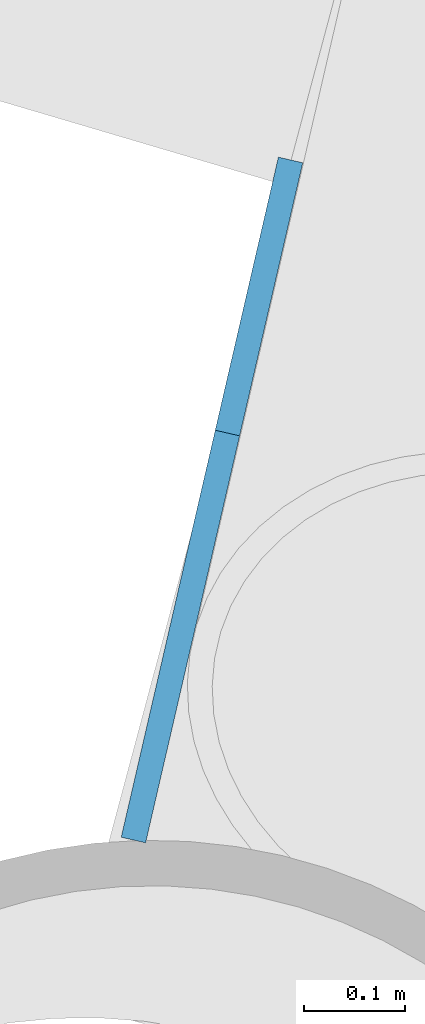
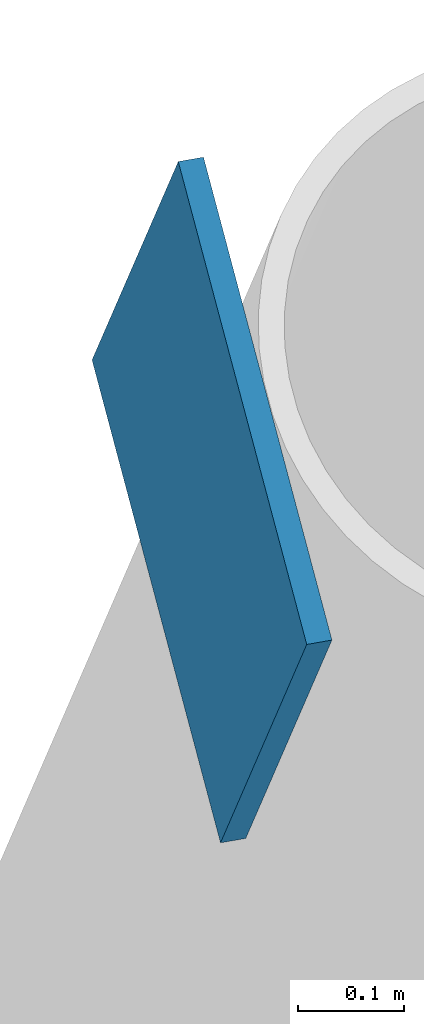
# One storey, part 14 of 23: 1 discrete accessory.
"""IFC4 building model written with IfcOpenShell, lengths in metres."""

import ifcopenshell
import ifcopenshell.guid

model = None  # the IFC model being written
_history = None  # IfcOwnerHistory: only IFC2X3 demands one
_inside = {}  # id of a spatial element -> (the spatial element, [elements in it])
_under = {}  # id of a project, library or spatial element -> (it, [spatial elements below it])
_declared = {}  # id of a project -> (the project, [libraries it declares])
_typed = {}  # id of a type object -> (the type object, [elements of that type])
_made_of = {}  # id of a material, layer set ... -> (it, [elements and type objects made of it])


def new_model(schema):
    """Start an empty IFC model of exactly this schema.

    Asked for "IFC4X3", IfcOpenShell would pick the latest addendum, in which some entities
    have other attributes; the version numbers below select the first issue.
    IFC2X3 requires an IfcOwnerHistory on every rooted entity: one is made here for all.
    """
    global model, _history
    if schema == "IFC4X3":
        model = ifcopenshell.file(schema_version=(4, 3, 0, 0))
    else:
        model = ifcopenshell.file(schema=schema)
    _inside.clear()
    _under.clear()
    _declared.clear()
    _typed.clear()
    _made_of.clear()
    _history = None
    if model.schema == "IFC2X3":
        org = make("IfcOrganization", Name="unknown")
        user = make(
            "IfcPersonAndOrganization",
            ThePerson=make("IfcPerson", FamilyName="unknown"),
            TheOrganization=org,
        )
        app = make(
            "IfcApplication",
            ApplicationDeveloper=org,
            Version="unknown",
            ApplicationFullName="unknown",
            ApplicationIdentifier="unknown",
        )
        _history = make(
            "IfcOwnerHistory",
            OwningUser=user,
            OwningApplication=app,
            ChangeAction="ADDED",
            CreationDate=0,
        )
    return model


def make(cls, **values):
    """One entity of the class cls with the attributes given. An attribute that is None is left unset."""
    return model.create_entity(
        cls, **{name: value for name, value in values.items() if value is not None}
    )


def rooted(cls, **values):
    """An entity with a GlobalId (a new one), such as an element, a storey or a relation."""
    return make(cls, GlobalId=ifcopenshell.guid.new(), OwnerHistory=_history, **values)


def si_unit(unit_type, name, prefix=None):
    """IfcSIUnit, for example si_unit("LENGTHUNIT", "METRE", prefix="MILLI")."""
    return make("IfcSIUnit", UnitType=unit_type, Prefix=prefix, Name=name)


def assignment(units):
    """IfcUnitAssignment: the units of a project."""
    return None if units is None else make("IfcUnitAssignment", Units=units)


def point(xyz):
    """IfcCartesianPoint."""
    return None if xyz is None else make("IfcCartesianPoint", Coordinates=xyz)


def direction(xyz):
    """IfcDirection."""
    return None if xyz is None else make("IfcDirection", DirectionRatios=xyz)


def frame(location, z_axis=None, x_axis=None):
    """IfcAxis2Placement3D, a coordinate frame: its origin and axes. An axis left out is left unset."""
    return make(
        "IfcAxis2Placement3D",
        Location=point(location),
        Axis=direction(z_axis),
        RefDirection=direction(x_axis),
    )


def frame_2d(location, x_axis=None):
    """IfcAxis2Placement2D, a coordinate frame in the plane: its origin and x axis."""
    return make(
        "IfcAxis2Placement2D", Location=point(location), RefDirection=direction(x_axis)
    )


def origin():
    """The frame at (0, 0, 0) with its axes left unset."""
    return frame((0.0, 0.0, 0.0))


def origin_2d():
    """The frame at (0, 0) in the plane with its x axis left unset."""
    return frame_2d((0.0, 0.0))


def place(relative_to, where):
    """IfcLocalPlacement: puts the frame where relative to a parent placement (None: the world)."""
    return make(
        "IfcLocalPlacement", PlacementRelTo=relative_to, RelativePlacement=where
    )


def context(
    kind, dimensions, precision=None, world=None, true_north=None, identifier=None
):
    """IfcGeometricRepresentationContext, for example the 3D "Model" context."""
    return make(
        "IfcGeometricRepresentationContext",
        ContextIdentifier=identifier,
        ContextType=kind,
        CoordinateSpaceDimension=dimensions,
        Precision=precision,
        WorldCoordinateSystem=world,
        TrueNorth=true_north,
    )


def subcontext(parent, identifier, kind, view, scale=None):
    """IfcGeometricRepresentationSubContext, for example "Body" below "Model"."""
    return make(
        "IfcGeometricRepresentationSubContext",
        ContextIdentifier=identifier,
        ContextType=kind,
        ParentContext=parent,
        TargetScale=scale,
        TargetView=view,
    )


def project(units=None, contexts=None):
    """IfcProject with its units and contexts."""
    return rooted(
        "IfcProject",
        Name="project",
        RepresentationContexts=contexts,
        UnitsInContext=assignment(units),
    )


def spatial(cls, under=None, at=None, **own):
    """A site, building, storey or space (cls), placed at a placement, below another one or the project."""
    s = rooted(cls, ObjectPlacement=at, **own)
    if under is not None:
        _under.setdefault(under.id(), (under, []))[1].append(s)
    return s


def profile(cls, at=None, kind="AREA", **sizes):
    """A parametric profile (cls). Its sizes go by their IFC names, for example OverallWidth=200.0."""
    return make(cls, ProfileType=kind, Position=at, **sizes)


def rectangle(**sizes):
    """IfcRectangleProfileDef."""
    return profile("IfcRectangleProfileDef", **sizes)


def extrude(swept, where, along, depth):
    """IfcExtrudedAreaSolid: the profile swept, set in the frame where, extruded along a direction by depth."""
    return make(
        "IfcExtrudedAreaSolid",
        SweptArea=swept,
        Position=where,
        ExtrudedDirection=direction(along),
        Depth=depth,
    )


def shape(context_of_items, identifier, shape_type, items):
    """IfcShapeRepresentation: the items that make up one representation, for example the "Body"."""
    return make(
        "IfcShapeRepresentation",
        ContextOfItems=context_of_items,
        RepresentationIdentifier=identifier,
        RepresentationType=shape_type,
        Items=items,
    )


def material(Name=None, Category=None):
    """IfcMaterial."""
    return make("IfcMaterial", Name=Name, Category=Category)


def material_profile(
    of_material, cross_section, Name=None, Category=None, Priority=None
):
    """IfcMaterialProfile: a cross section and its material."""
    return make(
        "IfcMaterialProfile",
        Name=Name,
        Material=of_material,
        Profile=cross_section,
        Priority=Priority,
        Category=Category,
    )


def profile_set(profiles, Name=None, composite=None):
    """IfcMaterialProfileSet."""
    return make(
        "IfcMaterialProfileSet",
        Name=Name,
        MaterialProfiles=profiles,
        CompositeProfile=composite,
    )


def made_of(thing, what):
    """Note that an element or type object is made of a material, layer set ...; save() writes the relation."""
    if what is not None:
        _made_of.setdefault(what.id(), (what, []))[1].append(thing)
    return thing


def type_object(cls, material=None, **own):
    """A type object (cls), such as IfcWallType, which elements share."""
    return made_of(rooted(cls, **own), material)


def element(
    cls,
    number,
    at=None,
    inside=None,
    cuts=None,
    type_object=None,
    material=None,
    context=None,
    identifier="Body",
    shape_type=None,
    held_by="IfcProductDefinitionShape",
    body=None,
    shapes=None,
    **own,
):
    """One element of the class cls, such as IfcWall. Its Tag is "e" and its number.

    at: its placement. inside: the storey or other place that contains it. cuts: it is an
    opening in that element (IfcRelVoidsElement). A single representation is given by context,
    identifier, shape_type and body (its items); several are given by shapes. held_by: the class
    of the entity that holds the representations. save() writes the other relations.
    """
    e = rooted(cls, Tag="e%d" % number, ObjectPlacement=at, **own)
    if body is not None:
        shapes = [shape(context, identifier, shape_type, body)]
    if shapes is not None:
        e.Representation = make(held_by, Representations=shapes)
    if inside is not None:
        _inside.setdefault(inside.id(), (inside, []))[1].append(e)
    if cuts is not None:
        rooted(
            "IfcRelVoidsElement", RelatingBuildingElement=cuts, RelatedOpeningElement=e
        )
    if type_object is not None:
        _typed.setdefault(type_object.id(), (type_object, []))[1].append(e)
    return made_of(e, material)


def aggregate(whole, parts):
    """IfcRelAggregates: a whole, such as a stair, and the parts it consists of."""
    return rooted("IfcRelAggregates", RelatingObject=whole, RelatedObjects=parts)


def save(model, path):
    """Write the relations noted so far, then the file.

    IfcRelAggregates (storeys below a building ...), IfcRelContainedInSpatialStructure (elements
    in a storey), IfcRelDefinesByType, IfcRelAssociatesMaterial and IfcRelDeclares: one each for
    every whole, place, type object, material and project.
    """
    for whole, parts in _under.values():
        aggregate(whole, parts)
    for where, things in _inside.values():
        rooted(
            "IfcRelContainedInSpatialStructure",
            RelatedElements=things,
            RelatingStructure=where,
        )
    for kind, things in _typed.values():
        rooted("IfcRelDefinesByType", RelatedObjects=things, RelatingType=kind)
    for what, things in _made_of.values():
        rooted("IfcRelAssociatesMaterial", RelatedObjects=things, RelatingMaterial=what)
    for by, libraries in _declared.values():
        rooted("IfcRelDeclares", RelatingContext=by, RelatedDefinitions=libraries)
    model.write(path)


model = new_model("IFC4")

# Units and contexts
model_context = context("Model", 3, precision=1e-05, world=origin(), true_north=direction((0.0, 1.0)))
body_context = subcontext(model_context, "Body", "Model", "MODEL_VIEW")
ifc_project = project(units=[si_unit("LENGTHUNIT", "METRE"), si_unit("AREAUNIT", "SQUARE_METRE"), si_unit("VOLUMEUNIT", "CUBIC_METRE"), si_unit("PLANEANGLEUNIT", "RADIAN"), si_unit("MASSUNIT", "GRAM", prefix="KILO")], contexts=[model_context])

# Site, building, storey
site_placement = place(None, origin())
site = spatial("IfcSite", under=ifc_project, at=site_placement, CompositionType="ELEMENT")
building_placement = place(site_placement, origin())
building = spatial("IfcBuilding", under=site, at=building_placement, Name="Tarsis Ring Headquarters", CompositionType="ELEMENT")
storey_placement = place(building_placement, frame((0.0, 0.0, 155.39990234375)))
storey = spatial("IfcBuildingStorey", under=building, at=storey_placement, Name="L35", CompositionType="ELEMENT", Elevation=155.39990234375)

# Discrete accessory
ifc_material = material(Name="Structural steel S355", Category="steel")
ifc_material_profile = material_profile(ifc_material, rectangle(XDim=0.02490234375, YDim=0.5, at=origin_2d()), Name="PL 25x500")
ifc_profile_set = profile_set([ifc_material_profile], Name="Structural steel S355")
discrete_accessory_type = type_object("IfcDiscreteAccessoryType", Name="Gusset plate Exo brace 25", PredefinedType="BRACKET", material=ifc_profile_set)
discrete_accessory_placement = place(storey_placement, frame((25.943359375, -12.36328125, 7.800048828125), z_axis=(0.125463007554, 0.542859394553, -0.830399127818), x_axis=(-0.97431730738, 0.225179449637, 0.0)))
element("IfcDiscreteAccessory", 1, at=discrete_accessory_placement, inside=storey, type_object=discrete_accessory_type, Name="Gusset plate GP5", PredefinedType="BRACKET", context=body_context, shape_type="SweptSolid", body=[
    extrude(rectangle(XDim=0.02490234375, YDim=0.5, at=origin_2d()), origin(), (0.0, 0.0, 1.0), 0.5),
])

save(model, "model.ifc")
